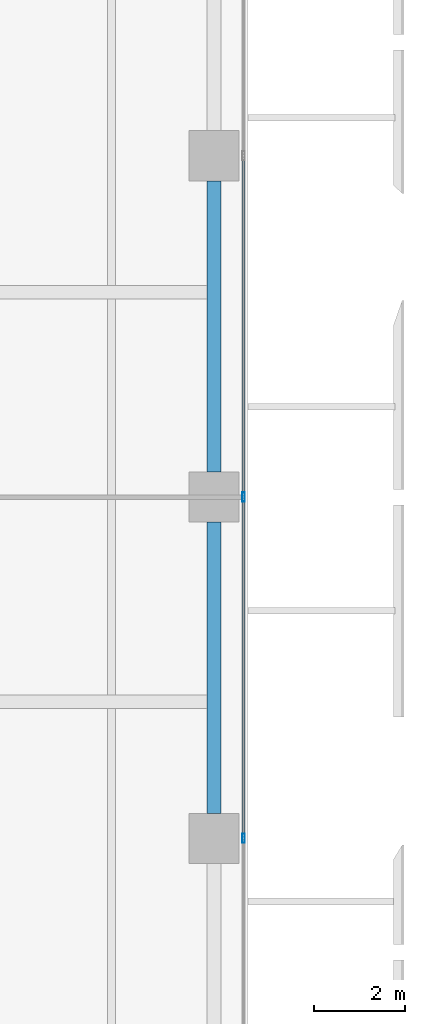
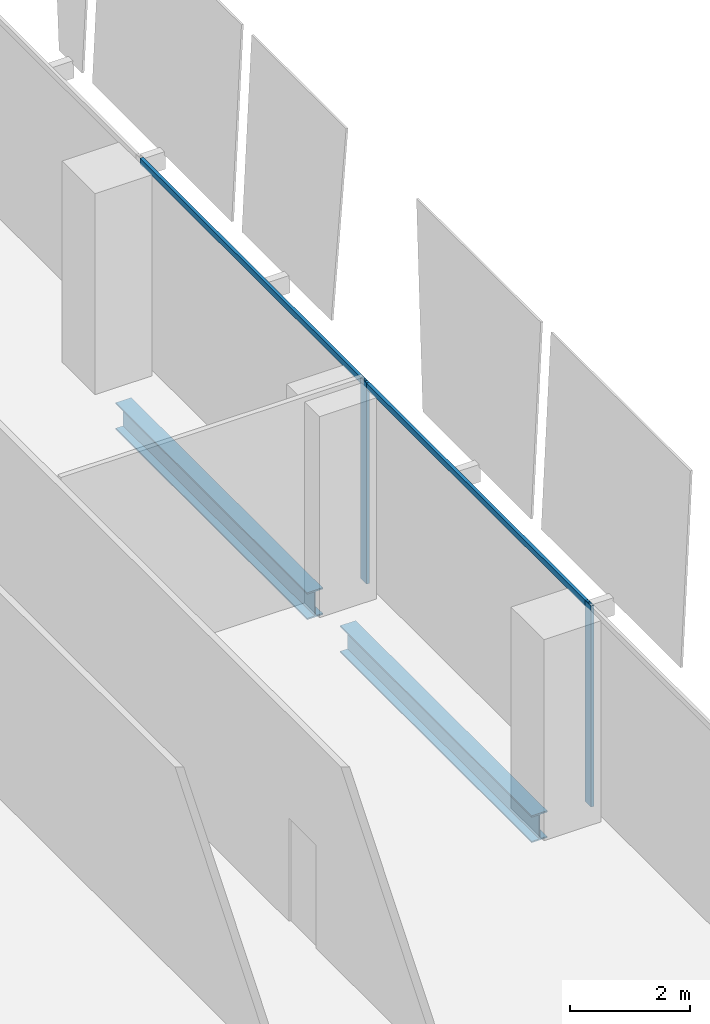
# One storey, part 13 of 33: 4 members, 2 beams, 1 element without a shape of its own.
"""IFC4 building model written with IfcOpenShell, lengths in metres."""

import ifcopenshell
import ifcopenshell.guid

model = None  # the IFC model being written
_history = None  # IfcOwnerHistory: only IFC2X3 demands one
_inside = {}  # id of a spatial element -> (the spatial element, [elements in it])
_under = {}  # id of a project, library or spatial element -> (it, [spatial elements below it])
_declared = {}  # id of a project -> (the project, [libraries it declares])
_typed = {}  # id of a type object -> (the type object, [elements of that type])
_made_of = {}  # id of a material, layer set ... -> (it, [elements and type objects made of it])


def new_model(schema):
    """Start an empty IFC model of exactly this schema.

    Asked for "IFC4X3", IfcOpenShell would pick the latest addendum, in which some entities
    have other attributes; the version numbers below select the first issue.
    IFC2X3 requires an IfcOwnerHistory on every rooted entity: one is made here for all.
    """
    global model, _history
    if schema == "IFC4X3":
        model = ifcopenshell.file(schema_version=(4, 3, 0, 0))
    else:
        model = ifcopenshell.file(schema=schema)
    _inside.clear()
    _under.clear()
    _declared.clear()
    _typed.clear()
    _made_of.clear()
    _history = None
    if model.schema == "IFC2X3":
        org = make("IfcOrganization", Name="unknown")
        user = make(
            "IfcPersonAndOrganization",
            ThePerson=make("IfcPerson", FamilyName="unknown"),
            TheOrganization=org,
        )
        app = make(
            "IfcApplication",
            ApplicationDeveloper=org,
            Version="unknown",
            ApplicationFullName="unknown",
            ApplicationIdentifier="unknown",
        )
        _history = make(
            "IfcOwnerHistory",
            OwningUser=user,
            OwningApplication=app,
            ChangeAction="ADDED",
            CreationDate=0,
        )
    return model


def make(cls, **values):
    """One entity of the class cls with the attributes given. An attribute that is None is left unset."""
    return model.create_entity(
        cls, **{name: value for name, value in values.items() if value is not None}
    )


def rooted(cls, **values):
    """An entity with a GlobalId (a new one), such as an element, a storey or a relation."""
    return make(cls, GlobalId=ifcopenshell.guid.new(), OwnerHistory=_history, **values)


def si_unit(unit_type, name, prefix=None):
    """IfcSIUnit, for example si_unit("LENGTHUNIT", "METRE", prefix="MILLI")."""
    return make("IfcSIUnit", UnitType=unit_type, Prefix=prefix, Name=name)


def assignment(units):
    """IfcUnitAssignment: the units of a project."""
    return None if units is None else make("IfcUnitAssignment", Units=units)


def point(xyz):
    """IfcCartesianPoint."""
    return None if xyz is None else make("IfcCartesianPoint", Coordinates=xyz)


def direction(xyz):
    """IfcDirection."""
    return None if xyz is None else make("IfcDirection", DirectionRatios=xyz)


def frame(location, z_axis=None, x_axis=None):
    """IfcAxis2Placement3D, a coordinate frame: its origin and axes. An axis left out is left unset."""
    return make(
        "IfcAxis2Placement3D",
        Location=point(location),
        Axis=direction(z_axis),
        RefDirection=direction(x_axis),
    )


def frame_2d(location, x_axis=None):
    """IfcAxis2Placement2D, a coordinate frame in the plane: its origin and x axis."""
    return make(
        "IfcAxis2Placement2D", Location=point(location), RefDirection=direction(x_axis)
    )


def origin():
    """The frame at (0, 0, 0) with its axes left unset."""
    return frame((0.0, 0.0, 0.0))


def origin_2d():
    """The frame at (0, 0) in the plane with its x axis left unset."""
    return frame_2d((0.0, 0.0))


def place(relative_to, where):
    """IfcLocalPlacement: puts the frame where relative to a parent placement (None: the world)."""
    return make(
        "IfcLocalPlacement", PlacementRelTo=relative_to, RelativePlacement=where
    )


def context(
    kind, dimensions, precision=None, world=None, true_north=None, identifier=None
):
    """IfcGeometricRepresentationContext, for example the 3D "Model" context."""
    return make(
        "IfcGeometricRepresentationContext",
        ContextIdentifier=identifier,
        ContextType=kind,
        CoordinateSpaceDimension=dimensions,
        Precision=precision,
        WorldCoordinateSystem=world,
        TrueNorth=true_north,
    )


def subcontext(parent, identifier, kind, view, scale=None):
    """IfcGeometricRepresentationSubContext, for example "Body" below "Model"."""
    return make(
        "IfcGeometricRepresentationSubContext",
        ContextIdentifier=identifier,
        ContextType=kind,
        ParentContext=parent,
        TargetScale=scale,
        TargetView=view,
    )


def project(units=None, contexts=None):
    """IfcProject with its units and contexts."""
    return rooted(
        "IfcProject",
        Name="project",
        RepresentationContexts=contexts,
        UnitsInContext=assignment(units),
    )


def spatial(cls, under=None, at=None, **own):
    """A site, building, storey or space (cls), placed at a placement, below another one or the project."""
    s = rooted(cls, ObjectPlacement=at, **own)
    if under is not None:
        _under.setdefault(under.id(), (under, []))[1].append(s)
    return s


def profile(cls, at=None, kind="AREA", **sizes):
    """A parametric profile (cls). Its sizes go by their IFC names, for example OverallWidth=200.0."""
    return make(cls, ProfileType=kind, Position=at, **sizes)


def hollow_rectangle(**sizes):
    """IfcRectangleHollowProfileDef."""
    return profile("IfcRectangleHollowProfileDef", **sizes)


def i_section(**sizes):
    """IfcIShapeProfileDef."""
    return profile("IfcIShapeProfileDef", **sizes)


def extrude(swept, where, along, depth):
    """IfcExtrudedAreaSolid: the profile swept, set in the frame where, extruded along a direction by depth."""
    return make(
        "IfcExtrudedAreaSolid",
        SweptArea=swept,
        Position=where,
        ExtrudedDirection=direction(along),
        Depth=depth,
    )


def shape(context_of_items, identifier, shape_type, items):
    """IfcShapeRepresentation: the items that make up one representation, for example the "Body"."""
    return make(
        "IfcShapeRepresentation",
        ContextOfItems=context_of_items,
        RepresentationIdentifier=identifier,
        RepresentationType=shape_type,
        Items=items,
    )


def source(mapping_origin, context_of_items, identifier, shape_type, items):
    """IfcRepresentationMap: a shape defined once, which mapped items show again and again."""
    return make(
        "IfcRepresentationMap",
        MappingOrigin=mapping_origin,
        MappedRepresentation=shape(context_of_items, identifier, shape_type, items),
    )


def transform(
    local_origin,
    x_axis=None,
    y_axis=None,
    z_axis=None,
    scale=None,
    scale2=None,
    scale3=None,
    uniform=True,
):
    """IfcCartesianTransformationOperator3D, or its non-uniform kind. x_axis, y_axis, z_axis: its Axis1, 2, 3."""
    if uniform:
        return make(
            "IfcCartesianTransformationOperator3D",
            Axis1=direction(x_axis),
            Axis2=direction(y_axis),
            LocalOrigin=point(local_origin),
            Scale=scale,
            Axis3=direction(z_axis),
        )
    return make(
        "IfcCartesianTransformationOperator3DnonUniform",
        Axis1=direction(x_axis),
        Axis2=direction(y_axis),
        LocalOrigin=point(local_origin),
        Scale=scale,
        Axis3=direction(z_axis),
        Scale2=scale2,
        Scale3=scale3,
    )


def mapped(mapping_source, mapping_target):
    """IfcMappedItem: shows the shape of a source again, moved by a transform."""
    return make(
        "IfcMappedItem", MappingSource=mapping_source, MappingTarget=mapping_target
    )


def material(Name=None, Category=None):
    """IfcMaterial."""
    return make("IfcMaterial", Name=Name, Category=Category)


def material_profile(
    of_material, cross_section, Name=None, Category=None, Priority=None
):
    """IfcMaterialProfile: a cross section and its material."""
    return make(
        "IfcMaterialProfile",
        Name=Name,
        Material=of_material,
        Profile=cross_section,
        Priority=Priority,
        Category=Category,
    )


def profile_set(profiles, Name=None, composite=None):
    """IfcMaterialProfileSet."""
    return make(
        "IfcMaterialProfileSet",
        Name=Name,
        MaterialProfiles=profiles,
        CompositeProfile=composite,
    )


def made_of(thing, what):
    """Note that an element or type object is made of a material, layer set ...; save() writes the relation."""
    if what is not None:
        _made_of.setdefault(what.id(), (what, []))[1].append(thing)
    return thing


def type_object(cls, material=None, **own):
    """A type object (cls), such as IfcWallType, which elements share."""
    return made_of(rooted(cls, **own), material)


def element(
    cls,
    number,
    at=None,
    inside=None,
    cuts=None,
    type_object=None,
    material=None,
    context=None,
    identifier="Body",
    shape_type=None,
    held_by="IfcProductDefinitionShape",
    body=None,
    shapes=None,
    **own,
):
    """One element of the class cls, such as IfcWall. Its Tag is "e" and its number.

    at: its placement. inside: the storey or other place that contains it. cuts: it is an
    opening in that element (IfcRelVoidsElement). A single representation is given by context,
    identifier, shape_type and body (its items); several are given by shapes. held_by: the class
    of the entity that holds the representations. save() writes the other relations.
    """
    e = rooted(cls, Tag="e%d" % number, ObjectPlacement=at, **own)
    if body is not None:
        shapes = [shape(context, identifier, shape_type, body)]
    if shapes is not None:
        e.Representation = make(held_by, Representations=shapes)
    if inside is not None:
        _inside.setdefault(inside.id(), (inside, []))[1].append(e)
    if cuts is not None:
        rooted(
            "IfcRelVoidsElement", RelatingBuildingElement=cuts, RelatedOpeningElement=e
        )
    if type_object is not None:
        _typed.setdefault(type_object.id(), (type_object, []))[1].append(e)
    return made_of(e, material)


def aggregate(whole, parts):
    """IfcRelAggregates: a whole, such as a stair, and the parts it consists of."""
    return rooted("IfcRelAggregates", RelatingObject=whole, RelatedObjects=parts)


def save(model, path):
    """Write the relations noted so far, then the file.

    IfcRelAggregates (storeys below a building ...), IfcRelContainedInSpatialStructure (elements
    in a storey), IfcRelDefinesByType, IfcRelAssociatesMaterial and IfcRelDeclares: one each for
    every whole, place, type object, material and project.
    """
    for whole, parts in _under.values():
        aggregate(whole, parts)
    for where, things in _inside.values():
        rooted(
            "IfcRelContainedInSpatialStructure",
            RelatedElements=things,
            RelatingStructure=where,
        )
    for kind, things in _typed.values():
        rooted("IfcRelDefinesByType", RelatedObjects=things, RelatingType=kind)
    for what, things in _made_of.values():
        rooted("IfcRelAssociatesMaterial", RelatedObjects=things, RelatingMaterial=what)
    for by, libraries in _declared.values():
        rooted("IfcRelDeclares", RelatingContext=by, RelatedDefinitions=libraries)
    model.write(path)


model = new_model("IFC4")

# Units and contexts
model_context = context("Model", 3, precision=1e-05, world=origin(), true_north=direction((0.0, 1.0)))
body_context = subcontext(model_context, "Body", "Model", "MODEL_VIEW")
ifc_project = project(units=[si_unit("LENGTHUNIT", "METRE"), si_unit("AREAUNIT", "SQUARE_METRE"), si_unit("VOLUMEUNIT", "CUBIC_METRE"), si_unit("PLANEANGLEUNIT", "RADIAN"), si_unit("MASSUNIT", "GRAM", prefix="KILO")], contexts=[model_context])

# Site, building, storey
site_placement = place(None, origin())
site = spatial("IfcSite", under=ifc_project, at=site_placement, CompositionType="ELEMENT")
building_placement = place(site_placement, origin())
building = spatial("IfcBuilding", under=site, at=building_placement, Name="Khomas Fold Tower", CompositionType="ELEMENT")
storey_placement = place(building_placement, frame((0.0, 0.0, 149.89990234375)))
storey = spatial("IfcBuildingStorey", under=building, at=storey_placement, Name="L32", CompositionType="ELEMENT", Elevation=149.89990234375)

# Beams
ifc_material_1 = material(Name="Steel S355", Category="steel")
ifc_material_profile_1 = material_profile(ifc_material_1, i_section(OverallWidth=0.300048828125, OverallDepth=0.550048828125, WebThickness=0.014892578125, FlangeThickness=0.029052734375, at=origin_2d()), Name="HE 550 B")
ifc_profile_set_1 = profile_set([ifc_material_profile_1], Name="Steel S355")
beam_type = type_object("IfcBeamType", Name="HE 550 B spandrel SB2", PredefinedType="SPANDREL", material=ifc_profile_set_1)
shared_shape_1 = source(origin(), body_context, "Body", "SweptSolid", [
    extrude(i_section(OverallWidth=0.300048828125, OverallDepth=0.550048828125, WebThickness=0.014892578125, FlangeThickness=0.029052734375, at=origin_2d()), origin(), (0.0, 0.0, 1.0), 6.39990234375),
])
for number, where, z_axis, x_axis, name in (
    (1, (51.75, 20.050048828125, -0.574951171875), (0.0, 1.0, 0.0), (-1.0, 0.0, 0.0), "SB2"),
    (2, (51.75, 27.550048828125, -0.574951171875), (0.0, 1.0, 0.0), (-1.0, 0.0, 0.0), "SB2"),
):
    element("IfcBeam", number, at=place(storey_placement, frame(where, z_axis=z_axis, x_axis=x_axis)), inside=storey, type_object=beam_type, Name=name, PredefinedType="SPANDREL", context=body_context, shape_type="MappedRepresentation", body=[
        mapped(shared_shape_1, transform((0.0, 0.0, 0.0))),
    ])

# Curtain wall, members
ifc_material_2 = material(Name="Aluminium framed double glazing", Category="aluminium")
curtain_wall_type = type_object("IfcCurtainWallType", Name="SK-Unitised clear-glass wall, growing floors CW1", PredefinedType="NOTDEFINED", material=ifc_material_2)
curtain_wall_placement = place(storey_placement, origin())
curtain_wall = element("IfcCurtainWall", 3, at=curtain_wall_placement, inside=storey, type_object=curtain_wall_type, Name="CW1 run L32 03-0", PredefinedType="NOTDEFINED")
ifc_material_3 = material(Name="Aluminium", Category="aluminium")
ifc_material_profile_2 = material_profile(ifc_material_3, hollow_rectangle(XDim=0.06005859375, YDim=0.1201171875, WallThickness=0.00390625, at=origin_2d()), Name="SK-Unitised clear-glass wall, growing floors transom CW1-T")
ifc_profile_set_2 = profile_set([ifc_material_profile_2], Name="Aluminium")
member_type_1 = type_object("IfcMemberType", Name="SK-Unitised clear-glass wall, growing floors transom CW1-T", PredefinedType="USERDEFINED", material=ifc_profile_set_2)
shared_shape_2 = source(origin(), body_context, "Body", "SweptSolid", [
    extrude(hollow_rectangle(XDim=0.06005859375, YDim=0.1201171875, WallThickness=0.00390625, at=origin_2d()), origin(), (0.0, 0.0, 1.0), 7.43994140625),
])
member_1_placement = place(storey_placement, frame((52.39990234375, 19.530029296875, 4.0400390625), z_axis=(0.0, 1.0, 0.0), x_axis=(-1.0, 0.0, 0.0)))
member_1 = element("IfcMember", 4, at=member_1_placement, type_object=member_type_1, Name="CW1 transom 4", ObjectType="TRANSOM", PredefinedType="USERDEFINED", context=body_context, shape_type="MappedRepresentation", body=[
    mapped(shared_shape_2, transform((0.0, 0.0, 0.0))),
])
member_2_placement = place(storey_placement, frame((52.39990234375, 27.030029296875, 4.0400390625), z_axis=(0.0, 1.0, 0.0), x_axis=(-1.0, 0.0, 0.0)))
member_2 = element("IfcMember", 5, at=member_2_placement, type_object=member_type_1, Name="CW1 transom 5", ObjectType="TRANSOM", PredefinedType="USERDEFINED", context=body_context, shape_type="MappedRepresentation", body=[
    mapped(shared_shape_2, transform((0.0, 0.0, 0.0))),
])
ifc_material_4 = material(Name="Aluminium", Category="aluminium")
ifc_material_profile_3 = material_profile(ifc_material_4, hollow_rectangle(XDim=0.06005859375, YDim=0.199951171875, WallThickness=0.00390625, at=origin_2d()), Name="SK-Unitised clear-glass wall, growing floors mullion CW1-M")
ifc_profile_set_3 = profile_set([ifc_material_profile_3], Name="Aluminium")
member_type_2 = type_object("IfcMemberType", Name="SK-Unitised clear-glass wall, growing floors mullion CW1-M", PredefinedType="MULLION", material=ifc_profile_set_3)
shared_shape_3 = source(origin(), body_context, "Body", "SweptSolid", [
    extrude(hollow_rectangle(XDim=0.06005859375, YDim=0.199951171875, WallThickness=0.00390625, at=origin_2d()), origin(), (0.0, 0.0, 1.0), 4.10009765625),
])
member_3_placement = place(storey_placement, frame((52.39990234375, 19.5, 0.0), z_axis=(0.0, 0.0, 1.0), x_axis=(-1.0, 0.0, 0.0)))
member_3 = element("IfcMember", 6, at=member_3_placement, type_object=member_type_2, Name="CW1 mullion 4", PredefinedType="MULLION", context=body_context, shape_type="MappedRepresentation", body=[
    mapped(shared_shape_3, transform((0.0, 0.0, 0.0))),
])
member_4_placement = place(storey_placement, frame((52.39990234375, 27.0, 0.0), z_axis=(0.0, 0.0, 1.0), x_axis=(-1.0, 0.0, 0.0)))
member_4 = element("IfcMember", 7, at=member_4_placement, type_object=member_type_2, Name="CW1 mullion 5", PredefinedType="MULLION", context=body_context, shape_type="MappedRepresentation", body=[
    mapped(shared_shape_3, transform((0.0, 0.0, 0.0))),
])
aggregate(curtain_wall, [member_3, member_4, member_1, member_2])

save(model, "model.ifc")
